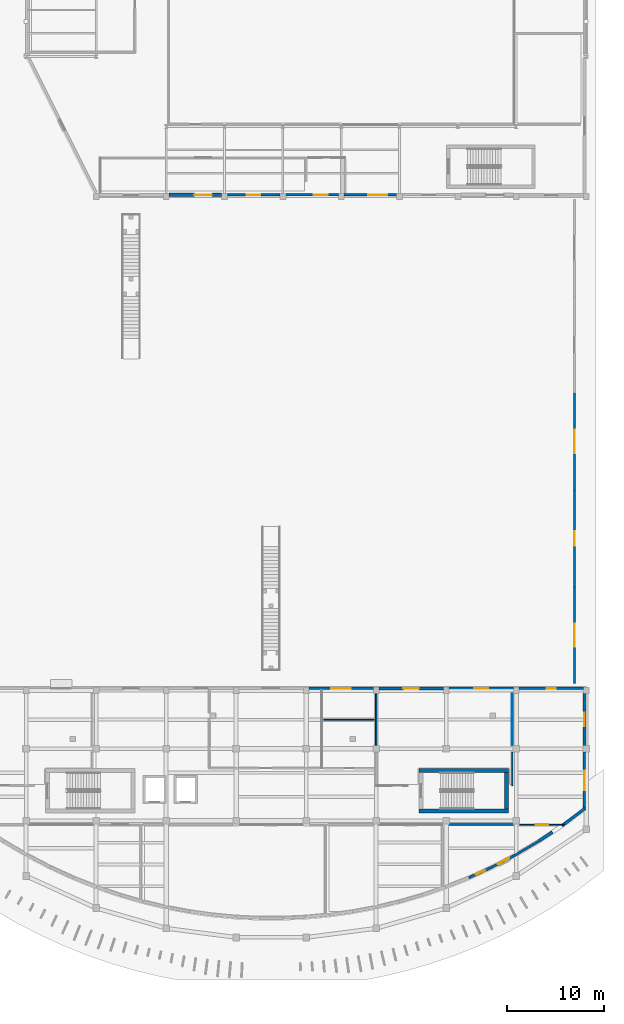
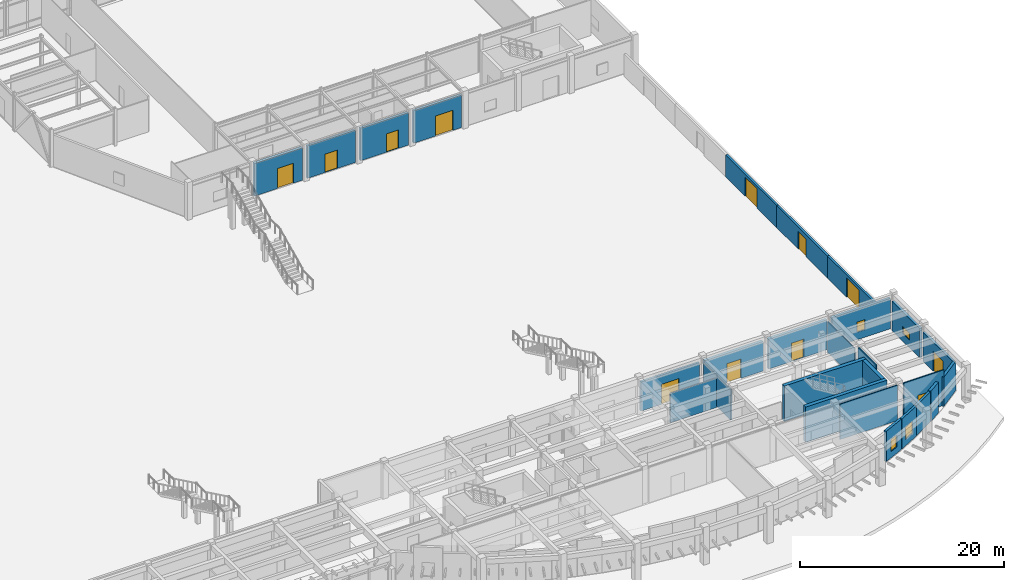
# One storey, part 37 of 58: 27 walls, 12 doors, 4 windows, 16 openings.
"""IFC4 building model written with IfcOpenShell, lengths in metres."""

from ifc_helpers import new_model, si_unit, direction, frame, frame_2d, origin, place, context, subcontext, project, spatial, rectangle, extrude, material, layer, layer_set, type_object, element, fill, save


model = new_model("IFC4")

# Units and contexts
model_context = context("Model", 3, precision=1e-05, world=origin(), true_north=direction((0.0, 1.0)))
body_context = subcontext(model_context, "Body", "Model", "MODEL_VIEW")
ifc_project = project(units=[si_unit("LENGTHUNIT", "METRE"), si_unit("AREAUNIT", "SQUARE_METRE"), si_unit("VOLUMEUNIT", "CUBIC_METRE"), si_unit("PLANEANGLEUNIT", "RADIAN"), si_unit("MASSUNIT", "GRAM", prefix="KILO")], contexts=[model_context])

# Site, building, storey
site_placement = place(None, origin())
site = spatial("IfcSite", under=ifc_project, at=site_placement, CompositionType="ELEMENT")
building_placement = place(site_placement, origin())
building = spatial("IfcBuilding", under=site, at=building_placement, Name="Brisavento Harbour Community Centre", CompositionType="ELEMENT")
storey_placement = place(building_placement, origin())
storey = spatial("IfcBuildingStorey", under=building, at=storey_placement, Name="L00", CompositionType="ELEMENT", Elevation=0.0)

# Walls
ifc_material_1 = material(Name="Concrete C40/50", Category="concrete")
ifc_layer_1 = layer(ifc_material_1, 0.39990234375, Name="Concrete C40/50")
ifc_layer_set_1 = layer_set([ifc_layer_1], Name="Concrete C40/50")
wall_type_1 = type_object("IfcWallType", Name="WL-CORE-400", PredefinedType="SHEAR", material=ifc_layer_set_1)
for number, where, z_axis, x_axis, name in (
    (1, (155.60009765625, 16.0, 0.0), (0.0, 0.0, 1.0), (1.0, 0.0, 0.0), "L00 core C3B shear wall L"),
    (2, (164.800048828125, 20.14990234375, 0.0), (0.0, 0.0, 1.0), (-1.0, 0.0, 0.0), "L00 core C3B shear wall R"),
):
    element("IfcWall", number, at=place(storey_placement, frame(where, z_axis=z_axis, x_axis=x_axis)), inside=storey, type_object=wall_type_1, Name=name, PredefinedType="SHEAR", context=body_context, shape_type="SweptSolid", body=[
        extrude(rectangle(XDim=9.199951171875, YDim=0.39990234375, at=frame_2d((4.60009765625, 0.0))), origin(), (0.0, 0.0, 1.0), 4.239990234375),
    ])
wall_1_placement = place(storey_placement, frame((164.60009765625, 16.199951171875, 0.0), z_axis=(0.0, 0.0, 1.0), x_axis=(0.0, 1.0, 0.0)))
element("IfcWall", 3, at=wall_1_placement, inside=storey, type_object=wall_type_1, Name="L00 core C3B shear wall F", PredefinedType="SHEAR", context=body_context, shape_type="SweptSolid", body=[
    extrude(rectangle(XDim=3.75, YDim=0.39990234375, at=frame_2d((1.875, 0.0))), origin(), (0.0, 0.0, 1.0), 4.239990234375),
])
ifc_material_2 = material(Name="Terracotta masonry unit", Category="masonry")
ifc_layer_2 = layer(ifc_material_2, 0.239990234375, Name="Terracotta masonry unit")
ifc_layer_set_2 = layer_set([ifc_layer_2], Name="Terracotta masonry unit")
wall_type_2 = type_object("IfcWallType", Name="WL-EXT-240", PredefinedType="SOLIDWALL", material=ifc_layer_set_2)
wall_2_placement = place(storey_placement, frame((167.89306640625, 12.875244140625, 0.0), z_axis=(0.0, 0.0, 1.0), x_axis=(-0.861415701697, -0.507900569866, 0.0)))
element("IfcWall", 4, at=wall_2_placement, inside=storey, type_object=wall_type_2, Name="L00 V3 exterior wall 0128", PredefinedType="SOLIDWALL", context=body_context, shape_type="SweptSolid", body=[
    extrude(rectangle(XDim=2.75, YDim=0.239990234375, at=frame_2d((1.375, 0.0))), origin(), (0.0, 0.0, 1.0), 3.590087890625),
])

# Wall, opening, door
wall_3_placement = place(storey_placement, frame((144.284912109375, 28.6201171875, 0.0), z_axis=(0.0, 0.0, 1.0), x_axis=(1.0, 0.0, 0.0)))
wall_3 = element("IfcWall", 5, at=wall_3_placement, inside=storey, type_object=wall_type_2, Name="L00 V3 exterior wall 0138", PredefinedType="SOLIDWALL", context=body_context, shape_type="SweptSolid", body=[
    extrude(rectangle(XDim=6.630126953125, YDim=0.239990234375, at=frame_2d((3.31494140625, 0.0))), origin(), (0.0, 0.0, 1.0), 3.489990234375),
])
opening_1_placement = place(wall_3_placement, frame((2.31494140625, 0.0, 0.0)))
opening_1 = element("IfcOpeningElement", 6, at=opening_1_placement, cuts=wall_3, Name="Opening ED-02", PredefinedType="OPENING", context=body_context, shape_type="SweptSolid", body=[
    extrude(rectangle(XDim=2.0, YDim=2.39990234375, at=frame_2d((1.0, 1.199951171875))), frame((0.0, 0.1298828125, 0.0), z_axis=(0.0, -1.0, 0.0), x_axis=(1.0, 0.0, 0.0)), (0.0, 0.0, 1.0), 0.260009765625),
])
ifc_material_3 = material(Name="Marine-anodised aluminium AW-6063-T6", Category="aluminium")
door_type_1 = type_object("IfcDoorType", Name="DR-EXT-200x240", OperationType="NOTDEFINED", PredefinedType="DOOR", material=ifc_material_3)
door_1_placement = place(opening_1_placement, origin())
door_1 = element("IfcDoor", 7, at=door_1_placement, inside=storey, type_object=door_type_1, Name="L00 V3 exterior exit door 013", OperationType="SINGLE_SWING_RIGHT", OverallHeight=2.39990234375, OverallWidth=2.0, PredefinedType="DOOR", context=body_context, shape_type="SweptSolid", body=[
    extrude(rectangle(XDim=2.0, YDim=2.39990234375, at=frame_2d((1.0, 1.199951171875))), frame((0.0, 0.02490234375, 0.0), z_axis=(0.0, -1.0, 0.0), x_axis=(1.0, 0.0, 0.0)), (0.0, 0.0, 1.0), 0.050048828125),
])
fill(opening_1, door_1)

wall_4_placement = place(storey_placement, frame((141.31494140625, 79.3798828125, 0.0), z_axis=(0.0, 0.0, 1.0), x_axis=(-1.0, 0.0, 0.0)))
wall_4 = element("IfcWall", 8, at=wall_4_placement, inside=storey, type_object=wall_type_2, Name="L00 V4 exterior wall 0148", PredefinedType="SOLIDWALL", context=body_context, shape_type="SweptSolid", body=[
    extrude(rectangle(XDim=5.429931640625, YDim=0.239990234375, at=frame_2d((2.71484375, 0.0))), origin(), (0.0, 0.0, 1.0), 3.8798828125),
])
opening_2_placement = place(wall_4_placement, frame((2.014892578125, 0.0, 0.0)))
opening_2 = element("IfcOpeningElement", 9, at=opening_2_placement, cuts=wall_4, Name="Opening ED-05", PredefinedType="OPENING", context=body_context, shape_type="SweptSolid", body=[
    extrude(rectangle(XDim=1.39990234375, YDim=2.199951171875, at=frame_2d((0.699951171875, 1.10009765625))), frame((0.0, 0.1298828125, 0.0), z_axis=(0.0, -1.0, 0.0), x_axis=(1.0, 0.0, 0.0)), (0.0, 0.0, 1.0), 0.260009765625),
])
door_type_2 = type_object("IfcDoorType", Name="DR-EXT-140x220", OperationType="NOTDEFINED", PredefinedType="DOOR", material=ifc_material_3)
door_2_placement = place(opening_2_placement, origin())
door_2 = element("IfcDoor", 10, at=door_2_placement, inside=storey, type_object=door_type_2, Name="L00 V4 exterior exit door 019", OperationType="SINGLE_SWING_RIGHT", OverallHeight=2.199951171875, OverallWidth=1.39990234375, PredefinedType="DOOR", context=body_context, shape_type="SweptSolid", body=[
    extrude(rectangle(XDim=1.39990234375, YDim=2.199951171875, at=frame_2d((0.699951171875, 1.10009765625))), frame((0.0, 0.02490234375, 0.0), z_axis=(0.0, -1.0, 0.0), x_axis=(1.0, 0.0, 0.0)), (0.0, 0.0, 1.0), 0.050048828125),
])
fill(opening_2, door_2)

wall_5_placement = place(storey_placement, frame((171.60009765625, 29.10009765625, 0.0), z_axis=(0.0, 0.0, 1.0), x_axis=(0.0, 1.0, 0.0)))
wall_5 = element("IfcWall", 11, at=wall_5_placement, inside=storey, type_object=wall_type_2, Name="L00 courtyard screen wall 06", PredefinedType="SOLIDWALL", context=body_context, shape_type="SweptSolid", body=[
    extrude(rectangle(XDim=9.9599609375, YDim=0.239990234375, at=frame_2d((4.97998046875, 0.0))), origin(), (0.0, 0.0, 1.0), 2.64990234375),
])
opening_3_placement = place(wall_5_placement, frame((3.780029296875, 0.0, 0.0)))
opening_3 = element("IfcOpeningElement", 12, at=opening_3_placement, cuts=wall_5, Name="Opening CG-01", PredefinedType="OPENING", context=body_context, shape_type="SweptSolid", body=[
    extrude(rectangle(XDim=2.39990234375, YDim=2.300048828125, at=frame_2d((1.199951171875, 1.14990234375))), frame((0.0, 0.1298828125, 0.0), z_axis=(0.0, -1.0, 0.0), x_axis=(1.0, 0.0, 0.0)), (0.0, 0.0, 1.0), 0.260009765625),
])
door_type_3 = type_object("IfcDoorType", Name="GT-CRT-240x230", OperationType="NOTDEFINED", PredefinedType="GATE", material=ifc_material_3)
door_3_placement = place(opening_3_placement, origin())
door_3 = element("IfcDoor", 13, at=door_3_placement, inside=storey, type_object=door_type_3, Name="L00 courtyard entrance gate 06", OperationType="SINGLE_SWING_LEFT", OverallHeight=2.300048828125, OverallWidth=2.39990234375, PredefinedType="GATE", context=body_context, shape_type="SweptSolid", body=[
    extrude(rectangle(XDim=2.39990234375, YDim=2.300048828125, at=frame_2d((1.199951171875, 1.14990234375))), frame((0.0, 0.02490234375, 0.0), z_axis=(0.0, -1.0, 0.0), x_axis=(1.0, 0.0, 0.0)), (0.0, 0.0, 1.0), 0.050048828125),
])
fill(opening_3, door_3)

wall_6_placement = place(storey_placement, frame((171.60009765625, 39.06005859375, 0.0), z_axis=(0.0, 0.0, 1.0), x_axis=(0.0, 1.0, 0.0)))
wall_6 = element("IfcWall", 14, at=wall_6_placement, inside=storey, type_object=wall_type_2, Name="L00 courtyard screen wall 07", PredefinedType="SOLIDWALL", context=body_context, shape_type="SweptSolid", body=[
    extrude(rectangle(XDim=9.9599609375, YDim=0.239990234375, at=frame_2d((4.97998046875, 0.0))), origin(), (0.0, 0.0, 1.0), 2.64990234375),
])
opening_4_placement = place(wall_6_placement, frame((4.22998046875, 0.0, 0.0)))
opening_4 = element("IfcOpeningElement", 15, at=opening_4_placement, cuts=wall_6, Name="Opening NG-01", PredefinedType="OPENING", context=body_context, shape_type="SweptSolid", body=[
    extrude(rectangle(XDim=1.5, YDim=2.10009765625, at=frame_2d((0.75, 1.050048828125))), frame((0.0, 0.1298828125, 0.0), z_axis=(0.0, -1.0, 0.0), x_axis=(1.0, 0.0, 0.0)), (0.0, 0.0, 1.0), 0.260009765625),
])
door_type_4 = type_object("IfcDoorType", Name="GT-NRS-150x210", OperationType="NOTDEFINED", PredefinedType="GATE", material=ifc_material_3)
door_4_placement = place(opening_4_placement, origin())
door_4 = element("IfcDoor", 16, at=door_4_placement, inside=storey, type_object=door_type_4, Name="L00 courtyard entrance gate 07", OperationType="SINGLE_SWING_RIGHT", OverallHeight=2.10009765625, OverallWidth=1.5, PredefinedType="GATE", context=body_context, shape_type="SweptSolid", body=[
    extrude(rectangle(XDim=1.5, YDim=2.10009765625, at=frame_2d((0.75, 1.050048828125))), frame((0.0, 0.02490234375, 0.0), z_axis=(0.0, -1.0, 0.0), x_axis=(1.0, 0.0, 0.0)), (0.0, 0.0, 1.0), 0.050048828125),
])
fill(opening_4, door_4)

wall_7_placement = place(storey_placement, frame((171.60009765625, 49.02001953125, 0.0), z_axis=(0.0, 0.0, 1.0), x_axis=(0.0, 1.0, 0.0)))
wall_7 = element("IfcWall", 17, at=wall_7_placement, inside=storey, type_object=wall_type_2, Name="L00 courtyard screen wall 08", PredefinedType="SOLIDWALL", context=body_context, shape_type="SweptSolid", body=[
    extrude(rectangle(XDim=9.9599609375, YDim=0.239990234375, at=frame_2d((4.97998046875, 0.0))), origin(), (0.0, 0.0, 1.0), 2.64990234375),
])
opening_5_placement = place(wall_7_placement, frame((3.780029296875, 0.0, 0.0)))
opening_5 = element("IfcOpeningElement", 18, at=opening_5_placement, cuts=wall_7, Name="Opening CG-01", PredefinedType="OPENING", context=body_context, shape_type="SweptSolid", body=[
    extrude(rectangle(XDim=2.39990234375, YDim=2.300048828125, at=frame_2d((1.199951171875, 1.14990234375))), frame((0.0, 0.1298828125, 0.0), z_axis=(0.0, -1.0, 0.0), x_axis=(1.0, 0.0, 0.0)), (0.0, 0.0, 1.0), 0.260009765625),
])
door_5_placement = place(opening_5_placement, origin())
door_5 = element("IfcDoor", 19, at=door_5_placement, inside=storey, type_object=door_type_3, Name="L00 courtyard entrance gate 08", OperationType="SINGLE_SWING_LEFT", OverallHeight=2.300048828125, OverallWidth=2.39990234375, PredefinedType="GATE", context=body_context, shape_type="SweptSolid", body=[
    extrude(rectangle(XDim=2.39990234375, YDim=2.300048828125, at=frame_2d((1.199951171875, 1.14990234375))), frame((0.0, 0.02490234375, 0.0), z_axis=(0.0, -1.0, 0.0), x_axis=(1.0, 0.0, 0.0)), (0.0, 0.0, 1.0), 0.050048828125),
])
fill(opening_5, door_5)

# Wall, opening, window
ifc_layer_3 = layer(ifc_material_2, 0.260009765625, Name="Terracotta masonry unit")
ifc_layer_set_3 = layer_set([ifc_layer_3], Name="Terracotta masonry unit")
wall_type_3 = type_object("IfcWallType", Name="WL-EXT-260", PredefinedType="SOLIDWALL", material=ifc_layer_set_3)
wall_8_placement = place(storey_placement, frame((165.5009765625, 11.465576171875, 0.0), z_axis=(0.0, 0.0, 1.0), x_axis=(-0.887029574184, -0.461712610315, 0.0)))
wall_8 = element("IfcWall", 20, at=wall_8_placement, inside=storey, type_object=wall_type_3, Name="L00 V3 exterior wall 0127", PredefinedType="SOLIDWALL", context=body_context, shape_type="SweptSolid", body=[
    extrude(rectangle(XDim=2.669677734375, YDim=0.260009765625, at=frame_2d((1.3349609375, 0.0))), origin(), (0.0, 0.0, 1.0), 3.590087890625),
])
opening_6_placement = place(wall_8_placement, frame((0.684814453125, 0.0, 0.75)))
opening_6 = element("IfcOpeningElement", 21, at=opening_6_placement, cuts=wall_8, Name="Opening W-30", PredefinedType="OPENING", context=body_context, shape_type="SweptSolid", body=[
    extrude(rectangle(XDim=1.300048828125, YDim=1.449951171875, at=frame_2d((0.64990234375, 0.72509765625))), frame((0.0, 0.14013671875, 0.0), z_axis=(0.0, -1.0, 0.0), x_axis=(1.0, 0.0, 0.0)), (0.0, 0.0, 1.0), 0.280029296875),
])
ifc_material_4 = material(Name="Solar-control laminated low-E glass", Category="glass")
window_type_1 = type_object("IfcWindowType", Name="WIN-CAS-30", PartitioningType="SINGLE_PANEL", PredefinedType="WINDOW", material=ifc_material_4)
window_1_placement = place(opening_6_placement, origin())
window_1 = element("IfcWindow", 22, at=window_1_placement, inside=storey, type_object=window_type_1, Name="L00 V3 impact casement window 0030", OverallHeight=1.449951171875, OverallWidth=1.300048828125, PartitioningType="SINGLE_PANEL", PredefinedType="WINDOW", context=body_context, shape_type="SweptSolid", body=[
    extrude(rectangle(XDim=1.300048828125, YDim=1.449951171875, at=frame_2d((0.64990234375, 0.72509765625))), frame((0.0, 0.030029296875, 0.0), z_axis=(0.0, -1.0, 0.0), x_axis=(1.0, 0.0, 0.0)), (0.0, 0.0, 1.0), 0.06005859375),
])
fill(opening_6, window_1)

# Wall, opening, door
wall_9_placement = place(storey_placement, frame((172.6201171875, 22.090087890625, 0.0), z_axis=(0.0, 0.0, 1.0), x_axis=(0.0, -1.0, 0.0)))
wall_9 = element("IfcWall", 23, at=wall_9_placement, inside=storey, type_object=wall_type_3, Name="L00 V3 exterior wall 0132", PredefinedType="SOLIDWALL", context=body_context, shape_type="SweptSolid", body=[
    extrude(rectangle(XDim=5.9443359375, YDim=0.260009765625, at=frame_2d((2.97216796875, 0.0))), origin(), (0.0, 0.0, 1.0), 3.489990234375),
])
opening_7_placement = place(wall_9_placement, frame((1.97216796875, 0.0, 0.0)))
opening_7 = element("IfcOpeningElement", 24, at=opening_7_placement, cuts=wall_9, Name="Opening ED-02", PredefinedType="OPENING", context=body_context, shape_type="SweptSolid", body=[
    extrude(rectangle(XDim=2.0, YDim=2.39990234375, at=frame_2d((1.0, 1.199951171875))), frame((0.0, 0.14013671875, 0.0), z_axis=(0.0, -1.0, 0.0), x_axis=(1.0, 0.0, 0.0)), (0.0, 0.0, 1.0), 0.280029296875),
])
door_6_placement = place(opening_7_placement, origin())
door_6 = element("IfcDoor", 25, at=door_6_placement, inside=storey, type_object=door_type_1, Name="L00 V3 exterior exit door 009", OperationType="SINGLE_SWING_RIGHT", OverallHeight=2.39990234375, OverallWidth=2.0, PredefinedType="DOOR", context=body_context, shape_type="SweptSolid", body=[
    extrude(rectangle(XDim=2.0, YDim=2.39990234375, at=frame_2d((1.0, 1.199951171875))), frame((0.0, 0.02490234375, 0.0), z_axis=(0.0, -1.0, 0.0), x_axis=(1.0, 0.0, 0.0)), (0.0, 0.0, 1.0), 0.050048828125),
])
fill(opening_7, door_6)

wall_10_placement = place(storey_placement, frame((147.31494140625, 79.3798828125, 0.0), z_axis=(0.0, 0.0, 1.0), x_axis=(-1.0, 0.0, 0.0)))
wall_10 = element("IfcWall", 26, at=wall_10_placement, inside=storey, type_object=wall_type_3, Name="L00 V4 exterior wall 0147", PredefinedType="SOLIDWALL", context=body_context, shape_type="SweptSolid", body=[
    extrude(rectangle(XDim=5.429931640625, YDim=0.260009765625, at=frame_2d((2.71484375, 0.0))), origin(), (0.0, 0.0, 1.0), 3.8798828125),
])
opening_8_placement = place(wall_10_placement, frame((1.114990234375, 0.0, 0.0)))
opening_8 = element("IfcOpeningElement", 27, at=opening_8_placement, cuts=wall_10, Name="Opening ED-05", PredefinedType="OPENING", context=body_context, shape_type="SweptSolid", body=[
    extrude(rectangle(XDim=1.39990234375, YDim=2.199951171875, at=frame_2d((0.699951171875, 1.10009765625))), frame((0.0, 0.14013671875, 0.0), z_axis=(0.0, -1.0, 0.0), x_axis=(1.0, 0.0, 0.0)), (0.0, 0.0, 1.0), 0.280029296875),
])
door_7_placement = place(opening_8_placement, origin())
door_7 = element("IfcDoor", 28, at=door_7_placement, inside=storey, type_object=door_type_2, Name="L00 V4 exterior exit door 018", OperationType="SINGLE_SWING_LEFT", OverallHeight=2.199951171875, OverallWidth=1.39990234375, PredefinedType="DOOR", context=body_context, shape_type="SweptSolid", body=[
    extrude(rectangle(XDim=1.39990234375, YDim=2.199951171875, at=frame_2d((0.699951171875, 1.10009765625))), frame((0.0, 0.02490234375, 0.0), z_axis=(0.0, -1.0, 0.0), x_axis=(1.0, 0.0, 0.0)), (0.0, 0.0, 1.0), 0.050048828125),
])
fill(opening_8, door_7)

# Wall, opening, window
ifc_material_5 = material(Name="Precast concrete C40/50", Category="concrete")
ifc_layer_4 = layer(ifc_material_5, 0.280029296875, Name="Precast concrete C40/50")
ifc_layer_set_4 = layer_set([ifc_layer_4], Name="Precast concrete C40/50")
wall_type_4 = type_object("IfcWallType", Name="WL-EXT-280", PredefinedType="SOLIDWALL", material=ifc_layer_set_4)
wall_11_placement = place(storey_placement, frame((163.10888671875, 10.22119140625, 0.0), z_axis=(0.0, 0.0, 1.0), x_axis=(-0.90959706885, -0.415491482873, 0.0)))
wall_11 = element("IfcWall", 29, at=wall_11_placement, inside=storey, type_object=wall_type_4, Name="L00 V3 exterior wall 0126", PredefinedType="SOLIDWALL", context=body_context, shape_type="SweptSolid", body=[
    extrude(rectangle(XDim=2.6025390625, YDim=0.280029296875, at=frame_2d((1.30126953125, 0.0))), origin(), (0.0, 0.0, 1.0), 3.639892578125),
])
opening_9_placement = place(wall_11_placement, frame((0.80126953125, 0.0, 0.75)))
opening_9 = element("IfcOpeningElement", 30, at=opening_9_placement, cuts=wall_11, Name="Opening W-29", PredefinedType="OPENING", context=body_context, shape_type="SweptSolid", body=[
    extrude(rectangle(XDim=1.0, YDim=1.449951171875, at=frame_2d((0.5, 0.72509765625))), frame((0.0, 0.14990234375, 0.0), z_axis=(0.0, -1.0, 0.0), x_axis=(1.0, 0.0, 0.0)), (0.0, 0.0, 1.0), 0.300048828125),
])
window_type_2 = type_object("IfcWindowType", Name="WIN-CAS-29", PartitioningType="SINGLE_PANEL", PredefinedType="WINDOW", material=ifc_material_4)
window_2_placement = place(opening_9_placement, origin())
window_2 = element("IfcWindow", 31, at=window_2_placement, inside=storey, type_object=window_type_2, Name="L00 V3 impact casement window 0029", OverallHeight=1.449951171875, OverallWidth=1.0, PartitioningType="SINGLE_PANEL", PredefinedType="WINDOW", context=body_context, shape_type="SweptSolid", body=[
    extrude(rectangle(XDim=1.0, YDim=1.449951171875, at=frame_2d((0.5, 0.72509765625))), frame((0.0, 0.030029296875, 0.0), z_axis=(0.0, -1.0, 0.0), x_axis=(1.0, 0.0, 0.0)), (0.0, 0.0, 1.0), 0.06005859375),
])
fill(opening_9, window_2)

wall_12_placement = place(storey_placement, frame((172.6201171875, 28.114990234375, 0.0), z_axis=(0.0, 0.0, 1.0), x_axis=(0.0, -1.0, 0.0)))
wall_12 = element("IfcWall", 32, at=wall_12_placement, inside=storey, type_object=wall_type_4, Name="L00 V3 exterior wall 0131", PredefinedType="SOLIDWALL", context=body_context, shape_type="SweptSolid", body=[
    extrude(rectangle(XDim=5.405029296875, YDim=0.280029296875, at=frame_2d((2.70263671875, 0.0))), origin(), (0.0, 0.0, 1.0), 3.52001953125),
])
opening_10_placement = place(wall_12_placement, frame((2.00244140625, 0.0, 0.89990234375)))
opening_10 = element("IfcOpeningElement", 33, at=opening_10_placement, cuts=wall_12, Name="Opening W-34", PredefinedType="OPENING", context=body_context, shape_type="SweptSolid", body=[
    extrude(rectangle(XDim=1.39990234375, YDim=0.85009765625, at=frame_2d((0.699951171875, 0.425048828125))), frame((0.0, 0.14990234375, 0.0), z_axis=(0.0, -1.0, 0.0), x_axis=(1.0, 0.0, 0.0)), (0.0, 0.0, 1.0), 0.300048828125),
])
window_type_3 = type_object("IfcWindowType", Name="WIN-CAS-34", PartitioningType="SINGLE_PANEL", PredefinedType="WINDOW", material=ifc_material_4)
window_3_placement = place(opening_10_placement, origin())
window_3 = element("IfcWindow", 34, at=window_3_placement, inside=storey, type_object=window_type_3, Name="L00 V3 impact casement window 0034", OverallHeight=0.85009765625, OverallWidth=1.39990234375, PartitioningType="SINGLE_PANEL", PredefinedType="WINDOW", context=body_context, shape_type="SweptSolid", body=[
    extrude(rectangle(XDim=1.39990234375, YDim=0.85009765625, at=frame_2d((0.699951171875, 0.425048828125))), frame((0.0, 0.030029296875, 0.0), z_axis=(0.0, -1.0, 0.0), x_axis=(1.0, 0.0, 0.0)), (0.0, 0.0, 1.0), 0.06005859375),
])
fill(opening_10, window_3)

wall_13_placement = place(storey_placement, frame((165.885009765625, 28.6201171875, 0.0), z_axis=(0.0, 0.0, 1.0), x_axis=(1.0, 0.0, 0.0)))
wall_13 = element("IfcWall", 35, at=wall_13_placement, inside=storey, type_object=wall_type_4, Name="L00 V3 exterior wall 0141", PredefinedType="SOLIDWALL", context=body_context, shape_type="SweptSolid", body=[
    extrude(rectangle(XDim=6.6298828125, YDim=0.280029296875, at=frame_2d((3.31494140625, 0.0))), origin(), (0.0, 0.0, 1.0), 3.639892578125),
])
opening_11_placement = place(wall_13_placement, frame((2.864990234375, 0.0, 0.89990234375)))
opening_11 = element("IfcOpeningElement", 36, at=opening_11_placement, cuts=wall_13, Name="Opening W-01", PredefinedType="OPENING", context=body_context, shape_type="SweptSolid", body=[
    extrude(rectangle(XDim=0.89990234375, YDim=1.199951171875, at=frame_2d((0.449951171875, 0.60009765625))), frame((0.0, 0.14990234375, 0.0), z_axis=(0.0, -1.0, 0.0), x_axis=(1.0, 0.0, 0.0)), (0.0, 0.0, 1.0), 0.300048828125),
])
window_type_4 = type_object("IfcWindowType", Name="WIN-CAS-01", PartitioningType="SINGLE_PANEL", PredefinedType="WINDOW", material=ifc_material_4)
window_4_placement = place(opening_11_placement, origin())
window_4 = element("IfcWindow", 37, at=window_4_placement, inside=storey, type_object=window_type_4, Name="L00 V3 impact casement window 0037", OverallHeight=1.199951171875, OverallWidth=0.89990234375, PartitioningType="SINGLE_PANEL", PredefinedType="WINDOW", context=body_context, shape_type="SweptSolid", body=[
    extrude(rectangle(XDim=0.89990234375, YDim=1.199951171875, at=frame_2d((0.449951171875, 0.60009765625))), frame((0.0, 0.030029296875, 0.0), z_axis=(0.0, -1.0, 0.0), x_axis=(1.0, 0.0, 0.0)), (0.0, 0.0, 1.0), 0.06005859375),
])
fill(opening_11, window_4)

# Wall, opening, door
wall_14_placement = place(storey_placement, frame((153.31494140625, 79.3798828125, 0.0), z_axis=(0.0, 0.0, 1.0), x_axis=(-1.0, 0.0, 0.0)))
wall_14 = element("IfcWall", 38, at=wall_14_placement, inside=storey, type_object=wall_type_4, Name="L00 V4 exterior wall 0146", PredefinedType="SOLIDWALL", context=body_context, shape_type="SweptSolid", body=[
    extrude(rectangle(XDim=5.429931640625, YDim=0.280029296875, at=frame_2d((2.71484375, 0.0))), origin(), (0.0, 0.0, 1.0), 3.8798828125),
])
opening_12_placement = place(wall_14_placement, frame((0.95751953125, 0.0, 0.0)))
opening_12 = element("IfcOpeningElement", 39, at=opening_12_placement, cuts=wall_14, Name="Opening ED-02", PredefinedType="OPENING", context=body_context, shape_type="SweptSolid", body=[
    extrude(rectangle(XDim=2.0, YDim=2.39990234375, at=frame_2d((1.0, 1.199951171875))), frame((0.0, 0.14990234375, 0.0), z_axis=(0.0, -1.0, 0.0), x_axis=(1.0, 0.0, 0.0)), (0.0, 0.0, 1.0), 0.300048828125),
])
door_8_placement = place(opening_12_placement, origin())
door_8 = element("IfcDoor", 40, at=door_8_placement, inside=storey, type_object=door_type_1, Name="L00 V4 exterior exit door 017", OperationType="SINGLE_SWING_RIGHT", OverallHeight=2.39990234375, OverallWidth=2.0, PredefinedType="DOOR", context=body_context, shape_type="SweptSolid", body=[
    extrude(rectangle(XDim=2.0, YDim=2.39990234375, at=frame_2d((1.0, 1.199951171875))), frame((0.0, 0.02490234375, 0.0), z_axis=(0.0, -1.0, 0.0), x_axis=(1.0, 0.0, 0.0)), (0.0, 0.0, 1.0), 0.050048828125),
])
fill(opening_12, door_8)

# Wall
ifc_material_6 = material(Name="Concrete C35/45", Category="concrete")
ifc_layer_5 = layer(ifc_material_6, 0.300048828125, Name="Concrete C35/45")
ifc_layer_set_5 = layer_set([ifc_layer_5], Name="Concrete C35/45")
wall_type_5 = type_object("IfcWallType", Name="WL-EXT-300", PredefinedType="SOLIDWALL", material=ifc_layer_set_5)
wall_15_placement = place(storey_placement, frame((172.677490234375, 16.260986328125, 0.0), z_axis=(0.0, 0.0, 1.0), x_axis=(-0.799762775561, -0.600316169053, 0.0)))
element("IfcWall", 41, at=wall_15_placement, inside=storey, type_object=wall_type_5, Name="L00 V3 exterior wall 0130", PredefinedType="SOLIDWALL", context=body_context, shape_type="SweptSolid", body=[
    extrude(rectangle(XDim=2.96484375, YDim=0.300048828125, at=frame_2d((1.482421875, 0.0))), origin(), (0.0, 0.0, 1.0), 3.489990234375),
])

# Wall, opening, door
wall_16_placement = place(storey_placement, frame((158.68505859375, 28.6201171875, 0.0), z_axis=(0.0, 0.0, 1.0), x_axis=(1.0, 0.0, 0.0)))
wall_16 = element("IfcWall", 42, at=wall_16_placement, inside=storey, type_object=wall_type_5, Name="L00 V3 exterior wall 0140", PredefinedType="SOLIDWALL", context=body_context, shape_type="SweptSolid", body=[
    extrude(rectangle(XDim=6.6298828125, YDim=0.300048828125, at=frame_2d((3.31494140625, 0.0))), origin(), (0.0, 0.0, 1.0), 3.590087890625),
])
opening_13_placement = place(wall_16_placement, frame((2.614990234375, 0.0, 0.0)))
opening_13 = element("IfcOpeningElement", 43, at=opening_13_placement, cuts=wall_16, Name="Opening ED-05", PredefinedType="OPENING", context=body_context, shape_type="SweptSolid", body=[
    extrude(rectangle(XDim=1.39990234375, YDim=2.199951171875, at=frame_2d((0.699951171875, 1.10009765625))), frame((0.0, 0.16015625, 0.0), z_axis=(0.0, -1.0, 0.0), x_axis=(1.0, 0.0, 0.0)), (0.0, 0.0, 1.0), 0.320068359375),
])
door_9_placement = place(opening_13_placement, origin())
door_9 = element("IfcDoor", 44, at=door_9_placement, inside=storey, type_object=door_type_2, Name="L00 V3 exterior exit door 015", OperationType="SINGLE_SWING_RIGHT", OverallHeight=2.199951171875, OverallWidth=1.39990234375, PredefinedType="DOOR", context=body_context, shape_type="SweptSolid", body=[
    extrude(rectangle(XDim=1.39990234375, YDim=2.199951171875, at=frame_2d((0.699951171875, 1.10009765625))), frame((0.0, 0.02490234375, 0.0), z_axis=(0.0, -1.0, 0.0), x_axis=(1.0, 0.0, 0.0)), (0.0, 0.0, 1.0), 0.050048828125),
])
fill(opening_13, door_9)

# Wall
ifc_layer_6 = layer(ifc_material_6, 0.320068359375, Name="Concrete C35/45")
ifc_layer_set_6 = layer_set([ifc_layer_6], Name="Concrete C35/45")
wall_type_6 = type_object("IfcWallType", Name="WL-EXT-320", PredefinedType="SOLIDWALL", material=ifc_layer_set_6)
wall_17_placement = place(storey_placement, frame((169.327880859375, 13.8291015625, 0.0), z_axis=(0.0, 0.0, 1.0), x_axis=(-0.832470617869, -0.554069192778, 0.0)))
element("IfcWall", 45, at=wall_17_placement, inside=storey, type_object=wall_type_6, Name="L00 V3 exterior wall 0129", PredefinedType="SOLIDWALL", context=body_context, shape_type="SweptSolid", body=[
    extrude(rectangle(XDim=1.69677734375, YDim=0.320068359375, at=frame_2d((0.848388671875, 0.0))), origin(), (0.0, 0.0, 1.0), 3.639892578125),
])

# Wall, opening, door
wall_18_placement = place(storey_placement, frame((151.485107421875, 28.6201171875, 0.0), z_axis=(0.0, 0.0, 1.0), x_axis=(1.0, 0.0, 0.0)))
wall_18 = element("IfcWall", 46, at=wall_18_placement, inside=storey, type_object=wall_type_6, Name="L00 V3 exterior wall 0139", PredefinedType="SOLIDWALL", context=body_context, shape_type="SweptSolid", body=[
    extrude(rectangle(XDim=6.6298828125, YDim=0.320068359375, at=frame_2d((3.31494140625, 0.0))), origin(), (0.0, 0.0, 1.0), 3.5400390625),
])
opening_14_placement = place(wall_18_placement, frame((2.514892578125, 0.0, 0.0)))
opening_14 = element("IfcOpeningElement", 47, at=opening_14_placement, cuts=wall_18, Name="Opening ED-04", PredefinedType="OPENING", context=body_context, shape_type="SweptSolid", body=[
    extrude(rectangle(XDim=1.60009765625, YDim=2.300048828125, at=frame_2d((0.800048828125, 1.14990234375))), frame((0.0, 0.169921875, 0.0), z_axis=(0.0, -1.0, 0.0), x_axis=(1.0, 0.0, 0.0)), (0.0, 0.0, 1.0), 0.340087890625),
])
door_type_5 = type_object("IfcDoorType", Name="DR-EXT-160x230", OperationType="NOTDEFINED", PredefinedType="DOOR", material=ifc_material_3)
door_10_placement = place(opening_14_placement, origin())
door_10 = element("IfcDoor", 48, at=door_10_placement, inside=storey, type_object=door_type_5, Name="L00 V3 exterior exit door 014", OperationType="SINGLE_SWING_LEFT", OverallHeight=2.300048828125, OverallWidth=1.60009765625, PredefinedType="DOOR", context=body_context, shape_type="SweptSolid", body=[
    extrude(rectangle(XDim=1.60009765625, YDim=2.300048828125, at=frame_2d((0.800048828125, 1.14990234375))), frame((0.0, 0.02490234375, 0.0), z_axis=(0.0, -1.0, 0.0), x_axis=(1.0, 0.0, 0.0)), (0.0, 0.0, 1.0), 0.050048828125),
])
fill(opening_14, door_10)

wall_19_placement = place(storey_placement, frame((135.31494140625, 79.3798828125, 0.0), z_axis=(0.0, 0.0, 1.0), x_axis=(-1.0, 0.0, 0.0)))
wall_19 = element("IfcWall", 49, at=wall_19_placement, inside=storey, type_object=wall_type_6, Name="L00 V4 exterior wall 0149", PredefinedType="SOLIDWALL", context=body_context, shape_type="SweptSolid", body=[
    extrude(rectangle(XDim=5.429931640625, YDim=0.320068359375, at=frame_2d((2.71484375, 0.0))), origin(), (0.0, 0.0, 1.0), 3.8798828125),
])
opening_15_placement = place(wall_19_placement, frame((1.007568359375, 0.0, 0.0)))
opening_15 = element("IfcOpeningElement", 50, at=opening_15_placement, cuts=wall_19, Name="Opening ED-01", PredefinedType="OPENING", context=body_context, shape_type="SweptSolid", body=[
    extrude(rectangle(XDim=1.800048828125, YDim=2.39990234375, at=frame_2d((0.89990234375, 1.199951171875))), frame((0.0, 0.169921875, 0.0), z_axis=(0.0, -1.0, 0.0), x_axis=(1.0, 0.0, 0.0)), (0.0, 0.0, 1.0), 0.340087890625),
])
door_type_6 = type_object("IfcDoorType", Name="DR-EXT-180x240", OperationType="NOTDEFINED", PredefinedType="DOOR", material=ifc_material_3)
door_11_placement = place(opening_15_placement, origin())
door_11 = element("IfcDoor", 51, at=door_11_placement, inside=storey, type_object=door_type_6, Name="L00 V4 exterior exit door 020", OperationType="SINGLE_SWING_RIGHT", OverallHeight=2.39990234375, OverallWidth=1.800048828125, PredefinedType="DOOR", context=body_context, shape_type="SweptSolid", body=[
    extrude(rectangle(XDim=1.800048828125, YDim=2.39990234375, at=frame_2d((0.89990234375, 1.199951171875))), frame((0.0, 0.02490234375, 0.0), z_axis=(0.0, -1.0, 0.0), x_axis=(1.0, 0.0, 0.0)), (0.0, 0.0, 1.0), 0.050048828125),
])
fill(opening_15, door_11)

# Walls
ifc_material_7 = material(Name="Lightweight stud partition", Category="other")
ifc_layer_7 = layer(ifc_material_7, 0.10009765625, Name="Lightweight stud partition")
ifc_layer_set_7 = layer_set([ifc_layer_7], Name="Lightweight stud partition")
wall_type_7 = type_object("IfcWallType", Name="WL-PRT-100", PredefinedType="PARTITIONING", material=ifc_layer_set_7)
wall_20_placement = place(storey_placement, frame((165.235107421875, 14.60009765625, 0.0), z_axis=(0.0, 0.0, 1.0), x_axis=(-1.0, 0.0, 0.0)))
element("IfcWall", 52, at=wall_20_placement, inside=storey, type_object=wall_type_7, Name="L00 Children Creative Activity Room partition 0075", PredefinedType="PARTITIONING", context=body_context, shape_type="SweptSolid", body=[
    extrude(rectangle(XDim=6.47021484375, YDim=0.10009765625, at=frame_2d((3.235107421875, 0.0))), origin(), (0.0, 0.0, 1.0), 4.239990234375),
])
wall_21_placement = place(storey_placement, frame((165.199951171875, 22.764892578125, 0.0), z_axis=(0.0, 0.0, 1.0), x_axis=(0.0, 1.0, 0.0)))
element("IfcWall", 53, at=wall_21_placement, inside=storey, type_object=wall_type_7, Name="L00 Parents Waiting and Feeding Lounge partition 0083", PredefinedType="PARTITIONING", context=body_context, shape_type="SweptSolid", body=[
    extrude(rectangle(XDim=5.295166015625, YDim=0.10009765625, at=frame_2d((2.6474609375, 0.0))), origin(), (0.0, 0.0, 1.0), 3.679931640625),
])

# Wall, opening, door
ifc_material_8 = material(Name="Gypsum metal-stud partition", Category="other")
ifc_layer_8 = layer(ifc_material_8, 0.1201171875, Name="Gypsum metal-stud partition")
ifc_layer_set_8 = layer_set([ifc_layer_8], Name="Gypsum metal-stud partition")
wall_type_8 = type_object("IfcWallType", Name="WL-PRT-120", PredefinedType="PARTITIONING", material=ifc_layer_set_8)
wall_22_placement = place(storey_placement, frame((170.53125, 14.60009765625, 0.0), z_axis=(0.0, 0.0, 1.0), x_axis=(-1.0, 0.0, 0.0)))
wall_22 = element("IfcWall", 54, at=wall_22_placement, inside=storey, type_object=wall_type_8, Name="L00 Children Creative Activity Room partition 0074", PredefinedType="PARTITIONING", context=body_context, shape_type="SweptSolid", body=[
    extrude(rectangle(XDim=4.566162109375, YDim=0.1201171875, at=frame_2d((2.283203125, 0.0))), origin(), (0.0, 0.0, 1.0), 4.239990234375),
])
opening_16_placement = place(wall_22_placement, frame((1.633056640625, 0.0, 0.0)))
opening_16 = element("IfcOpeningElement", 55, at=opening_16_placement, cuts=wall_22, Name="Opening ID-05", PredefinedType="OPENING", context=body_context, shape_type="SweptSolid", body=[
    extrude(rectangle(XDim=1.300048828125, YDim=2.199951171875, at=frame_2d((0.64990234375, 1.10009765625))), frame((0.0, 0.070068359375, 0.0), z_axis=(0.0, -1.0, 0.0), x_axis=(1.0, 0.0, 0.0)), (0.0, 0.0, 1.0), 0.14013671875),
])
ifc_material_9 = material(Name="Solid-core tropical timber door", Category="wood")
door_type_7 = type_object("IfcDoorType", Name="DR-INT-130x220", OperationType="NOTDEFINED", PredefinedType="DOOR", material=ifc_material_9)
door_12_placement = place(opening_16_placement, origin())
door_12 = element("IfcDoor", 56, at=door_12_placement, inside=storey, type_object=door_type_7, Name="L00 Children Creative Activity Room door 0027", OperationType="SINGLE_SWING_RIGHT", OverallHeight=2.199951171875, OverallWidth=1.300048828125, PredefinedType="DOOR", context=body_context, shape_type="SweptSolid", body=[
    extrude(rectangle(XDim=1.300048828125, YDim=2.199951171875, at=frame_2d((0.64990234375, 1.10009765625))), frame((0.0, 0.02490234375, 0.0), z_axis=(0.0, -1.0, 0.0), x_axis=(1.0, 0.0, 0.0)), (0.0, 0.0, 1.0), 0.050048828125),
])
fill(opening_16, door_12)

# Walls
wall_23_placement = place(storey_placement, frame((165.199951171875, 18.60009765625, 0.0), z_axis=(0.0, 0.0, 1.0), x_axis=(0.0, 1.0, 0.0)))
element("IfcWall", 57, at=wall_23_placement, inside=storey, type_object=wall_type_8, Name="L00 Parents Waiting and Feeding Lounge partition 0082", PredefinedType="PARTITIONING", context=body_context, shape_type="SweptSolid", body=[
    extrude(rectangle(XDim=3.434814453125, YDim=0.1201171875, at=frame_2d((1.71728515625, 0.0))), origin(), (0.0, 0.0, 1.0), 4.239990234375),
])
wall_24_placement = place(storey_placement, frame((151.0, 25.39990234375, 0.0), z_axis=(0.0, 0.0, 1.0), x_axis=(-1.0, 0.0, 0.0)))
element("IfcWall", 58, at=wall_24_placement, inside=storey, type_object=wall_type_8, Name="L00 Nursery Children WC partition 0122", PredefinedType="PARTITIONING", context=body_context, shape_type="SweptSolid", body=[
    extrude(rectangle(XDim=5.199951171875, YDim=0.1201171875, at=frame_2d((2.60009765625, 0.0))), origin(), (0.0, 0.0, 1.0), 3.52001953125),
])
ifc_material_10 = material(Name="Moisture-resistant stud partition", Category="other")
ifc_layer_9 = layer(ifc_material_10, 0.14990234375, Name="Moisture-resistant stud partition")
ifc_layer_set_9 = layer_set([ifc_layer_9], Name="Moisture-resistant stud partition")
wall_type_9 = type_object("IfcWallType", Name="WL-PRT-150", PredefinedType="PARTITIONING", material=ifc_layer_set_9)
wall_25_placement = place(storey_placement, frame((151.199951171875, 28.06005859375, 0.0), z_axis=(0.0, 0.0, 1.0), x_axis=(0.0, -1.0, 0.0)))
element("IfcWall", 59, at=wall_25_placement, inside=storey, type_object=wall_type_9, Name="L00 Parents Waiting and Feeding Lounge partition 0080", PredefinedType="PARTITIONING", context=body_context, shape_type="SweptSolid", body=[
    extrude(rectangle(XDim=5.295166015625, YDim=0.14990234375, at=frame_2d((2.6474609375, 0.0))), origin(), (0.0, 0.0, 1.0), 3.639892578125),
])

save(model, "model.ifc")
